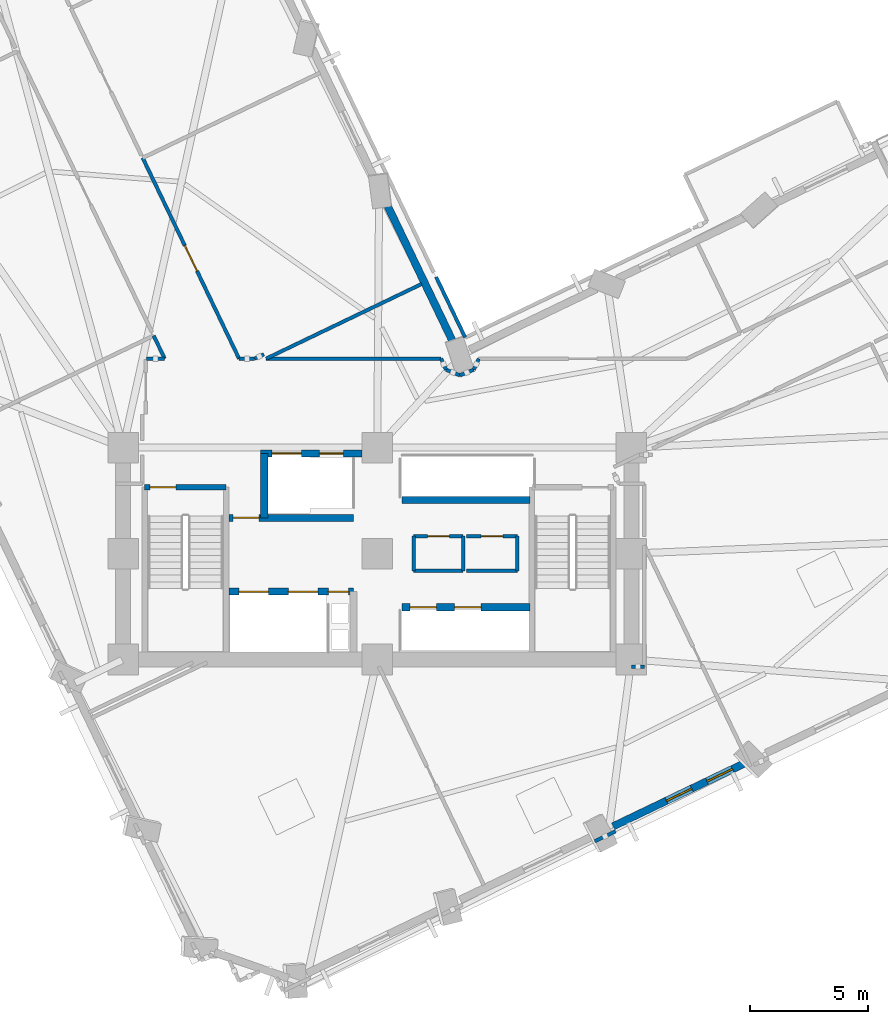
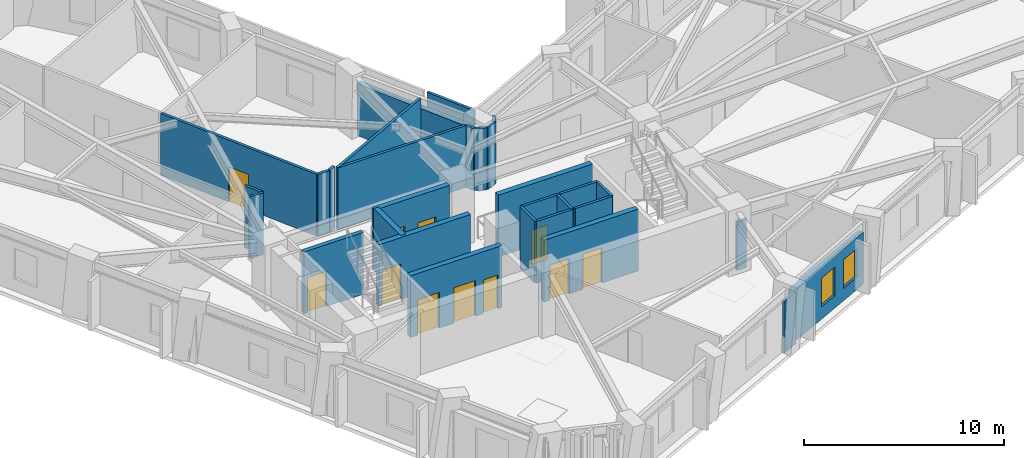
# One storey, part 8 of 16: 30 walls, 12 doors, 2 windows, 14 openings.
"""IFC4 building model written with IfcOpenShell, lengths in metres."""

from ifc_helpers import new_model, si_unit, direction, frame, frame_2d, origin, place, context, subcontext, project, spatial, rectangle, extrude, material, layer, layer_set, type_object, element, fill, save


model = new_model("IFC4")

# Units and contexts
model_context = context("Model", 3, precision=1e-05, world=origin(), true_north=direction((0.0, 1.0)))
body_context = subcontext(model_context, "Body", "Model", "MODEL_VIEW")
ifc_project = project(units=[si_unit("LENGTHUNIT", "METRE"), si_unit("AREAUNIT", "SQUARE_METRE"), si_unit("VOLUMEUNIT", "CUBIC_METRE"), si_unit("PLANEANGLEUNIT", "RADIAN"), si_unit("MASSUNIT", "GRAM", prefix="KILO")], contexts=[model_context])

# Site, building, storey
site_placement = place(None, origin())
site = spatial("IfcSite", under=ifc_project, at=site_placement, CompositionType="ELEMENT")
building_placement = place(site_placement, origin())
building = spatial("IfcBuilding", under=site, at=building_placement, Name="Gaonmaruhae Medical Tower", CompositionType="ELEMENT")
storey_placement = place(building_placement, frame((0.0, 0.0, 132.39990234375)))
storey = spatial("IfcBuildingStorey", under=building, at=storey_placement, Name="L31", CompositionType="ELEMENT", Elevation=132.39990234375)

# Wall, openings, windows
ifc_material_1 = material(Name="Precast concrete C45/55", Category="concrete")
ifc_layer_1 = layer(ifc_material_1, 0.320068359375)
ifc_layer_set_1 = layer_set([ifc_layer_1], Name="Precast concrete C45/55")
wall_type_1 = type_object("IfcWallType", Name="EW-320 Lower Precast Masonry-Frame Facade Wall", PredefinedType="SOLIDWALL", material=ifc_layer_set_1)
wall_1_placement = place(storey_placement, frame((40.427001953125, 3.39599609375, 0.0), z_axis=(0.0, 0.0, 1.0), x_axis=(-0.901447639929, -0.432888152374, 0.0)))
wall_1 = element("IfcWall", 1, at=wall_1_placement, inside=storey, type_object=wall_type_1, Name="L31 Precast Masonry-Frame Wall S03-S04", PredefinedType="SOLIDWALL", context=body_context, shape_type="SweptSolid", body=[
    extrude(rectangle(XDim=6.214599609375, YDim=0.320068359375, at=frame_2d((3.107421875, 0.0))), origin(), (0.0, 0.0, 1.0), 3.1650390625),
])
opening_1_placement = place(wall_1_placement, frame((2.505615234375, 0.0, 0.75)))
opening_1 = element("IfcOpeningElement", 2, at=opening_1_placement, cuts=wall_1, Name="Opening WN-05", PredefinedType="OPENING", context=body_context, shape_type="SweptSolid", body=[
    extrude(rectangle(XDim=1.199951171875, YDim=1.75, at=frame_2d((0.60009765625, 0.875))), frame((0.0, 0.169921875, 0.0), z_axis=(0.0, -1.0, 0.0), x_axis=(1.0, 0.0, 0.0)), (0.0, 0.0, 1.0), 0.340087890625),
])
opening_2_placement = place(wall_1_placement, frame((0.587890625, 0.0, 0.75)))
opening_2 = element("IfcOpeningElement", 3, at=opening_2_placement, cuts=wall_1, Name="Opening WN-05", PredefinedType="OPENING", context=body_context, shape_type="SweptSolid", body=[
    extrude(rectangle(XDim=1.199951171875, YDim=1.75, at=frame_2d((0.60009765625, 0.875))), frame((0.0, 0.169921875, 0.0), z_axis=(0.0, -1.0, 0.0), x_axis=(1.0, 0.0, 0.0)), (0.0, 0.0, 1.0), 0.340087890625),
])
ifc_material_2 = material(Name="Anodised aluminium and Low-E double glazing", Category="aluminium")
window_type = type_object("IfcWindowType", Name="WN-05 Support & Staff Punched Window 1200x1750", PartitioningType="SINGLE_PANEL", PredefinedType="WINDOW", material=ifc_material_2)
window_1_placement = place(opening_1_placement, origin())
window_1 = element("IfcWindow", 4, at=window_1_placement, inside=storey, type_object=window_type, Name="L31 Modular Facade Window S03", OverallHeight=1.75, OverallWidth=1.199951171875, PartitioningType="SINGLE_PANEL", PredefinedType="WINDOW", context=body_context, shape_type="SweptSolid", body=[
    extrude(rectangle(XDim=1.199951171875, YDim=1.75, at=frame_2d((0.60009765625, 0.875))), frame((0.0, 0.030029296875, 0.0), z_axis=(0.0, -1.0, 0.0), x_axis=(1.0, 0.0, 0.0)), (0.0, 0.0, 1.0), 0.06005859375),
])
fill(opening_1, window_1)
window_2_placement = place(opening_2_placement, origin())
window_2 = element("IfcWindow", 5, at=window_2_placement, inside=storey, type_object=window_type, Name="L31 Modular Facade Window S03B", OverallHeight=1.75, OverallWidth=1.199951171875, PartitioningType="SINGLE_PANEL", PredefinedType="WINDOW", context=body_context, shape_type="SweptSolid", body=[
    extrude(rectangle(XDim=1.199951171875, YDim=1.75, at=frame_2d((0.60009765625, 0.875))), frame((0.0, 0.030029296875, 0.0), z_axis=(0.0, -1.0, 0.0), x_axis=(1.0, 0.0, 0.0)), (0.0, 0.0, 1.0), 0.06005859375),
])
fill(opening_2, window_2)

# Walls
wall_2_placement = place(storey_placement, frame((25.162353515625, 27.23974609375, 0.0), z_axis=(0.0, 0.0, 1.0), x_axis=(0.432883696329, -0.901449779773, 0.0)))
element("IfcWall", 6, at=wall_2_placement, inside=storey, type_object=wall_type_1, Name="L31 Precast Masonry-Frame Wall KN01-NE01", PredefinedType="SOLIDWALL", context=body_context, shape_type="SweptSolid", body=[
    extrude(rectangle(XDim=6.760009765625, YDim=0.320068359375, at=frame_2d((3.3798828125, 0.0))), origin(), (0.0, 0.0, 1.0), 3.1650390625),
])
ifc_material_3 = material(Name="Gypsum board partition", Category="gypsum")
ifc_layer_2 = layer(ifc_material_3, 0.14990234375)
ifc_layer_set_2 = layer_set([ifc_layer_2], Name="Gypsum board partition")
wall_type_2 = type_object("IfcWallType", Name="PW-150 Rated Clinical Corridor Partition", PredefinedType="PARTITIONING", material=ifc_layer_set_2)
wall_3_placement = place(storey_placement, frame((26.35009765625, 11.56005859375, 0.0), z_axis=(0.0, 0.0, 1.0), x_axis=(0.0, 1.0, 0.0)))
element("IfcWall", 7, at=wall_3_placement, inside=storey, type_object=wall_type_2, Name="L31 Interior Partition L31-CS1-1", PredefinedType="PARTITIONING", context=body_context, shape_type="SweptSolid", body=[
    extrude(rectangle(XDim=1.47998046875, YDim=0.14990234375, at=frame_2d((0.739990234375, 0.0))), origin(), (0.0, 0.0, 1.0), 3.780029296875),
])

# Wall, opening, door
wall_4_placement = place(storey_placement, frame((26.35009765625, 13.0400390625, 0.0), z_axis=(0.0, 0.0, 1.0), x_axis=(1.0, 0.0, 0.0)))
wall_4 = element("IfcWall", 8, at=wall_4_placement, inside=storey, type_object=wall_type_2, Name="L31 Interior Partition L31-CS1-2", PredefinedType="PARTITIONING", context=body_context, shape_type="SweptSolid", body=[
    extrude(rectangle(XDim=2.099853515625, YDim=0.14990234375, at=frame_2d((1.0498046875, 0.0))), origin(), (0.0, 0.0, 1.0), 3.780029296875),
])
opening_3_placement = place(wall_4_placement, frame((0.590087890625, 0.0, 0.0)))
opening_3 = element("IfcOpeningElement", 9, at=opening_3_placement, cuts=wall_4, Name="Opening UD-01", PredefinedType="OPENING", context=body_context, shape_type="SweptSolid", body=[
    extrude(rectangle(XDim=0.919921875, YDim=2.10009765625, at=frame_2d((0.4599609375, 1.050048828125))), frame((0.0, 0.0849609375, 0.0), z_axis=(0.0, -1.0, 0.0), x_axis=(1.0, 0.0, 0.0)), (0.0, 0.0, 1.0), 0.169921875),
])
ifc_material_4 = material(Name="Powder-coated steel utility door", Category="steel")
door_type_1 = type_object("IfcDoorType", Name="UD-01 Toilet, Utility & Housekeeping Door 920x2100", OperationType="NOTDEFINED", PredefinedType="DOOR", material=ifc_material_4)
door_1_placement = place(opening_3_placement, origin())
door_1 = element("IfcDoor", 10, at=door_1_placement, inside=storey, type_object=door_type_1, Name="L31 Accessible Staff Toilet Door", OperationType="SINGLE_SWING_RIGHT", OverallHeight=2.10009765625, OverallWidth=0.919921875, PredefinedType="DOOR", context=body_context, shape_type="SweptSolid", body=[
    extrude(rectangle(XDim=0.919921875, YDim=2.10009765625, at=frame_2d((0.4599609375, 1.050048828125))), frame((0.0, 0.02490234375, 0.0), z_axis=(0.0, -1.0, 0.0), x_axis=(1.0, 0.0, 0.0)), (0.0, 0.0, 1.0), 0.050048828125),
])
fill(opening_3, door_1)

# Walls
wall_5_placement = place(storey_placement, frame((28.449951171875, 13.0400390625, 0.0), z_axis=(0.0, 0.0, 1.0), x_axis=(0.0, -1.0, 0.0)))
element("IfcWall", 11, at=wall_5_placement, inside=storey, type_object=wall_type_2, Name="L31 Interior Partition L31-CS1-3", PredefinedType="PARTITIONING", context=body_context, shape_type="SweptSolid", body=[
    extrude(rectangle(XDim=1.47998046875, YDim=0.14990234375, at=frame_2d((0.739990234375, 0.0))), origin(), (0.0, 0.0, 1.0), 3.780029296875),
])
wall_6_placement = place(storey_placement, frame((28.449951171875, 11.56005859375, 0.0), z_axis=(0.0, 0.0, 1.0), x_axis=(-1.0, 0.0, 0.0)))
element("IfcWall", 12, at=wall_6_placement, inside=storey, type_object=wall_type_2, Name="L31 Interior Partition L31-CS1-4", PredefinedType="PARTITIONING", context=body_context, shape_type="SweptSolid", body=[
    extrude(rectangle(XDim=2.099853515625, YDim=0.14990234375, at=frame_2d((1.0498046875, 0.0))), origin(), (0.0, 0.0, 1.0), 3.780029296875),
])

# Wall, opening, door
wall_7_placement = place(storey_placement, frame((28.60009765625, 13.0400390625, 0.0), z_axis=(0.0, 0.0, 1.0), x_axis=(1.0, 0.0, 0.0)))
wall_7 = element("IfcWall", 13, at=wall_7_placement, inside=storey, type_object=wall_type_2, Name="L31 Interior Partition L31-CS2-5", PredefinedType="PARTITIONING", context=body_context, shape_type="SweptSolid", body=[
    extrude(rectangle(XDim=2.14990234375, YDim=0.14990234375, at=frame_2d((1.074951171875, 0.0))), origin(), (0.0, 0.0, 1.0), 3.780029296875),
])
opening_4_placement = place(wall_7_placement, frame((0.614990234375, 0.0, 0.0)))
opening_4 = element("IfcOpeningElement", 14, at=opening_4_placement, cuts=wall_7, Name="Opening UD-01", PredefinedType="OPENING", context=body_context, shape_type="SweptSolid", body=[
    extrude(rectangle(XDim=0.919921875, YDim=2.10009765625, at=frame_2d((0.4599609375, 1.050048828125))), frame((0.0, 0.0849609375, 0.0), z_axis=(0.0, -1.0, 0.0), x_axis=(1.0, 0.0, 0.0)), (0.0, 0.0, 1.0), 0.169921875),
])
door_2_placement = place(opening_4_placement, origin())
door_2 = element("IfcDoor", 15, at=door_2_placement, inside=storey, type_object=door_type_1, Name="L31 Biomedical Telemetry Closet Door", OperationType="SINGLE_SWING_LEFT", OverallHeight=2.10009765625, OverallWidth=0.919921875, PredefinedType="DOOR", context=body_context, shape_type="SweptSolid", body=[
    extrude(rectangle(XDim=0.919921875, YDim=2.10009765625, at=frame_2d((0.4599609375, 1.050048828125))), frame((0.0, 0.02490234375, 0.0), z_axis=(0.0, -1.0, 0.0), x_axis=(1.0, 0.0, 0.0)), (0.0, 0.0, 1.0), 0.050048828125),
])
fill(opening_4, door_2)

# Walls
wall_8_placement = place(storey_placement, frame((30.75, 13.0400390625, 0.0), z_axis=(0.0, 0.0, 1.0), x_axis=(0.0, -1.0, 0.0)))
element("IfcWall", 16, at=wall_8_placement, inside=storey, type_object=wall_type_2, Name="L31 Interior Partition L31-CS2-6", PredefinedType="PARTITIONING", context=body_context, shape_type="SweptSolid", body=[
    extrude(rectangle(XDim=1.47998046875, YDim=0.14990234375, at=frame_2d((0.739990234375, 0.0))), origin(), (0.0, 0.0, 1.0), 3.780029296875),
])
wall_9_placement = place(storey_placement, frame((30.75, 11.56005859375, 0.0), z_axis=(0.0, 0.0, 1.0), x_axis=(-1.0, 0.0, 0.0)))
element("IfcWall", 17, at=wall_9_placement, inside=storey, type_object=wall_type_2, Name="L31 Interior Partition L31-CS2-7", PredefinedType="PARTITIONING", context=body_context, shape_type="SweptSolid", body=[
    extrude(rectangle(XDim=2.14990234375, YDim=0.14990234375, at=frame_2d((1.074951171875, 0.0))), origin(), (0.0, 0.0, 1.0), 3.780029296875),
])
wall_10_placement = place(storey_placement, frame((34.925048828125, 0.4990234375, 0.0), z_axis=(0.0, 0.0, 1.0), x_axis=(-0.901441371295, -0.432901205955, 0.0)))
element("IfcWall", 18, at=wall_10_placement, inside=storey, type_object=wall_type_2, Name="L31 Interior Partition L31-SUP02-19", PredefinedType="PARTITIONING", context=body_context, shape_type="SweptSolid", body=[
    extrude(rectangle(XDim=0.9794921875, YDim=0.14990234375, at=frame_2d((0.48974609375, 0.0))), origin(), (0.0, 0.0, 1.0), 3.1650390625),
])
wall_11_placement = place(storey_placement, frame((35.60009765625, 7.5, 0.0), z_axis=(0.0, 0.0, 1.0), x_axis=(1.0, 0.0, 0.0)))
element("IfcWall", 19, at=wall_11_placement, inside=storey, type_object=wall_type_2, Name="L31 Interior Partition L31-SUP02-20", PredefinedType="PARTITIONING", context=body_context, shape_type="SweptSolid", body=[
    extrude(rectangle(XDim=0.5498046875, YDim=0.14990234375, at=frame_2d((0.27490234375, 0.0))), origin(), (0.0, 0.0, 1.0), 2.965087890625),
])
wall_12_placement = place(storey_placement, frame((15.300048828125, 21.55908203125, 0.0), z_axis=(0.0, 0.0, 1.0), x_axis=(0.432767610523, -0.901505515947, 0.0)))
element("IfcWall", 20, at=wall_12_placement, inside=storey, type_object=wall_type_2, Name="L31 Interior Partition L31-WOF05-46", PredefinedType="PARTITIONING", context=body_context, shape_type="SweptSolid", body=[
    extrude(rectangle(XDim=1.0859375, YDim=0.14990234375, at=frame_2d((0.54296875, 0.0))), origin(), (0.0, 0.0, 1.0), 3.780029296875),
])
wall_13_placement = place(storey_placement, frame((15.77001953125, 20.580078125, 0.0), z_axis=(0.0, 0.0, 1.0), x_axis=(-1.0, 0.0, 0.0)))
element("IfcWall", 21, at=wall_13_placement, inside=storey, type_object=wall_type_2, Name="L31 Interior Partition L31-WOF05-47", PredefinedType="PARTITIONING", context=body_context, shape_type="SweptSolid", body=[
    extrude(rectangle(XDim=0.77294921875, YDim=0.14990234375, at=frame_2d((0.386474609375, 0.0))), origin(), (0.0, 0.0, 1.0), 3.780029296875),
])
wall_14_placement = place(storey_placement, frame((29.113037109375, 20.580078125, 0.0), z_axis=(0.0, 0.0, 1.0), x_axis=(-0.410741961607, -0.911751633382, 0.0)))
element("IfcWall", 22, at=wall_14_placement, inside=storey, type_object=wall_type_2, Name="L31 Interior Partition L31-IE01-59", PredefinedType="PARTITIONING", context=body_context, shape_type="SweptSolid", body=[
    extrude(rectangle(XDim=0.51123046875, YDim=0.14990234375, at=frame_2d((0.255615234375, 0.0))), origin(), (0.0, 0.0, 1.0), 3.780029296875),
])
wall_15_placement = place(storey_placement, frame((28.903076171875, 20.114013671875, 0.0), z_axis=(0.0, 0.0, 1.0), x_axis=(-0.923946844683, -0.382520885967, 0.0)))
element("IfcWall", 23, at=wall_15_placement, inside=storey, type_object=wall_type_2, Name="L31 Interior Partition L31-IE01-60", PredefinedType="PARTITIONING", context=body_context, shape_type="SweptSolid", body=[
    extrude(rectangle(XDim=0.6376953125, YDim=0.14990234375, at=frame_2d((0.31884765625, 0.0))), origin(), (0.0, 0.0, 1.0), 3.780029296875),
])
wall_16_placement = place(storey_placement, frame((28.31396484375, 19.8701171875, 0.0), z_axis=(0.0, 0.0, 1.0), x_axis=(-0.924114659462, 0.382115291723, 0.0)))
element("IfcWall", 24, at=wall_16_placement, inside=storey, type_object=wall_type_2, Name="L31 Interior Partition L31-IE01-61", PredefinedType="PARTITIONING", context=body_context, shape_type="SweptSolid", body=[
    extrude(rectangle(XDim=0.63818359375, YDim=0.14990234375, at=frame_2d((0.319091796875, 0.0))), origin(), (0.0, 0.0, 1.0), 3.780029296875),
])
wall_17_placement = place(storey_placement, frame((27.72412109375, 20.114013671875, 0.0), z_axis=(0.0, 0.0, 1.0), x_axis=(-0.411138875134, 0.911572720826, 0.0)))
element("IfcWall", 25, at=wall_17_placement, inside=storey, type_object=wall_type_2, Name="L31 Interior Partition L31-IE01-62", PredefinedType="PARTITIONING", context=body_context, shape_type="SweptSolid", body=[
    extrude(rectangle(XDim=0.51123046875, YDim=0.14990234375, at=frame_2d((0.255615234375, 0.0))), origin(), (0.0, 0.0, 1.0), 3.780029296875),
])
wall_18_placement = place(storey_placement, frame((27.513916015625, 20.580078125, 0.0), z_axis=(0.0, 0.0, 1.0), x_axis=(-1.0, 0.0, 0.0)))
element("IfcWall", 26, at=wall_18_placement, inside=storey, type_object=wall_type_2, Name="L31 Interior Partition L31-IE01-63", PredefinedType="PARTITIONING", context=body_context, shape_type="SweptSolid", body=[
    extrude(rectangle(XDim=7.43798828125, YDim=0.14990234375, at=frame_2d((3.718994140625, 0.0))), origin(), (0.0, 0.0, 1.0), 3.780029296875),
])
wall_19_placement = place(storey_placement, frame((20.075927734375, 20.580078125, 0.0), z_axis=(0.0, 0.0, 1.0), x_axis=(0.901471094666, 0.432839306765, 0.0)))
element("IfcWall", 27, at=wall_19_placement, inside=storey, type_object=wall_type_2, Name="L31 Interior Partition L31-IE01-64", PredefinedType="PARTITIONING", context=body_context, shape_type="SweptSolid", body=[
    extrude(rectangle(XDim=7.33251953125, YDim=0.14990234375, at=frame_2d((3.666259765625, 0.0))), origin(), (0.0, 0.0, 1.0), 3.780029296875),
])
wall_20_placement = place(storey_placement, frame((27.303955078125, 24.051025390625, 0.0), z_axis=(0.0, 0.0, 1.0), x_axis=(0.433006738205, -0.901390683705, 0.0)))
element("IfcWall", 28, at=wall_20_placement, inside=storey, type_object=wall_type_2, Name="L31 Interior Partition L31-IE01-65", PredefinedType="PARTITIONING", context=body_context, shape_type="SweptSolid", body=[
    extrude(rectangle(XDim=2.85009765625, YDim=0.14990234375, at=frame_2d((1.425048828125, 0.0))), origin(), (0.0, 0.0, 1.0), 3.780029296875),
])
wall_21_placement = place(storey_placement, frame((19.591064453125, 20.580078125, 0.0), z_axis=(0.0, 0.0, 1.0), x_axis=(-1.0, 0.0, 0.0)))
element("IfcWall", 29, at=wall_21_placement, inside=storey, type_object=wall_type_2, Name="L31 Interior Partition L31-IN01-85", PredefinedType="PARTITIONING", context=body_context, shape_type="SweptSolid", body=[
    extrude(rectangle(XDim=0.66015625, YDim=0.14990234375, at=frame_2d((0.330078125, 0.0))), origin(), (0.0, 0.0, 1.0), 3.780029296875),
])

# Wall, opening, door
wall_22_placement = place(storey_placement, frame((18.930908203125, 20.580078125, 0.0), z_axis=(0.0, 0.0, 1.0), x_axis=(-0.43286607563, 0.901458241168, 0.0)))
wall_22 = element("IfcWall", 30, at=wall_22_placement, inside=storey, type_object=wall_type_2, Name="L31 Interior Partition L31-IN01-86", PredefinedType="PARTITIONING", context=body_context, shape_type="SweptSolid", body=[
    extrude(rectangle(XDim=9.464599609375, YDim=0.14990234375, at=frame_2d((4.732421875, 0.0))), origin(), (0.0, 0.0, 1.0), 3.780029296875),
])
opening_5_placement = place(wall_22_placement, frame((4.13232421875, 0.0, 0.0)))
opening_5 = element("IfcOpeningElement", 31, at=opening_5_placement, cuts=wall_22, Name="Opening CD-02", PredefinedType="OPENING", context=body_context, shape_type="SweptSolid", body=[
    extrude(rectangle(XDim=1.199951171875, YDim=2.14990234375, at=frame_2d((0.60009765625, 1.074951171875))), frame((0.0, 0.0849609375, 0.0), z_axis=(0.0, -1.0, 0.0), x_axis=(1.0, 0.0, 0.0)), (0.0, 0.0, 1.0), 0.169921875),
])
ifc_material_5 = material(Name="Antimicrobial laminate timber fire door", Category="wood")
door_type_2 = type_object("IfcDoorType", Name="CD-02 Clinical Treatment & Procedure Door 1200x2150", OperationType="NOTDEFINED", PredefinedType="DOOR", material=ifc_material_5)
door_3_placement = place(opening_5_placement, origin())
door_3 = element("IfcDoor", 32, at=door_3_placement, inside=storey, type_object=door_type_2, Name="L31 Physician Consultation Office Door", OperationType="SINGLE_SWING_RIGHT", OverallHeight=2.14990234375, OverallWidth=1.199951171875, PredefinedType="DOOR", context=body_context, shape_type="SweptSolid", body=[
    extrude(rectangle(XDim=1.199951171875, YDim=2.14990234375, at=frame_2d((0.60009765625, 1.074951171875))), frame((0.0, 0.02490234375, 0.0), z_axis=(0.0, -1.0, 0.0), x_axis=(1.0, 0.0, 0.0)), (0.0, 0.0, 1.0), 0.050048828125),
])
fill(opening_5, door_3)

# Wall
wall_23_placement = place(storey_placement, frame((19.985107421875, 20.76904296875, 0.0), z_axis=(0.0, 0.0, 1.0), x_axis=(-0.901679917464, -0.432404123988, 0.0)))
element("IfcWall", 33, at=wall_23_placement, inside=storey, type_object=wall_type_2, Name="L31 Interior Partition L31-IN01-89", PredefinedType="PARTITIONING", context=body_context, shape_type="SweptSolid", body=[
    extrude(rectangle(XDim=0.43701171875, YDim=0.14990234375, at=frame_2d((0.218505859375, 0.0))), origin(), (0.0, 0.0, 1.0), 3.780029296875),
])

# Wall, opening, door
ifc_material_6 = material(Name="Concrete C50/60", Category="concrete")
ifc_layer_3 = layer(ifc_material_6, 0.239990234375)
ifc_layer_set_3 = layer_set([ifc_layer_3], Name="Concrete C50/60")
wall_type_3 = type_object("IfcWallType", Name="SW-240 Dogleg Stair Tight Shaft Wall", PredefinedType="SOLIDWALL", material=ifc_layer_set_3)
wall_24_placement = place(storey_placement, frame((14.919921875, 15.1201171875, 0.0), z_axis=(0.0, 0.0, 1.0), x_axis=(1.0, 0.0, 0.0)))
wall_24 = element("IfcWall", 34, at=wall_24_placement, inside=storey, type_object=wall_type_3, Name="L31 ST-01 Stair Shaft Wall SHW-ST-01-N", PredefinedType="SOLIDWALL", context=body_context, shape_type="SweptSolid", body=[
    extrude(rectangle(XDim=3.4599609375, YDim=0.239990234375, at=frame_2d((1.72998046875, 0.0))), origin(), (0.0, 0.0, 1.0), 3.780029296875),
])
opening_6_placement = place(wall_24_placement, frame((0.219970703125, 0.0, 0.0)))
opening_6 = element("IfcOpeningElement", 35, at=opening_6_placement, cuts=wall_24, Name="Opening FD-01", PredefinedType="OPENING", context=body_context, shape_type="SweptSolid", body=[
    extrude(rectangle(XDim=1.10009765625, YDim=2.14990234375, at=frame_2d((0.550048828125, 1.074951171875))), frame((0.0, 0.1298828125, 0.0), z_axis=(0.0, -1.0, 0.0), x_axis=(1.0, 0.0, 0.0)), (0.0, 0.0, 1.0), 0.260009765625),
])
ifc_material_7 = material(Name="Powder-coated steel fire door", Category="steel")
door_type_3 = type_object("IfcDoorType", Name="FD-01 Escape Stair Protected Fire Door 1100x2150", OperationType="NOTDEFINED", PredefinedType="DOOR", material=ifc_material_7)
door_4_placement = place(opening_6_placement, origin())
door_4 = element("IfcDoor", 36, at=door_4_placement, inside=storey, type_object=door_type_3, Name="L31 ST-01 Protected Escape Stair Door", OperationType="SINGLE_SWING_RIGHT", OverallHeight=2.14990234375, OverallWidth=1.10009765625, PredefinedType="DOOR", context=body_context, shape_type="SweptSolid", body=[
    extrude(rectangle(XDim=1.10009765625, YDim=2.14990234375, at=frame_2d((0.550048828125, 1.074951171875))), frame((0.0, 0.02490234375, 0.0), z_axis=(0.0, -1.0, 0.0), x_axis=(1.0, 0.0, 0.0)), (0.0, 0.0, 1.0), 0.050048828125),
])
fill(opening_6, door_4)

# Wall, openings, doors
ifc_layer_4 = layer(ifc_material_6, 0.300048828125)
ifc_layer_set_4 = layer_set([ifc_layer_4], Name="Concrete C50/60")
wall_type_4 = type_object("IfcWallType", Name="SW-300 Stair & Lift Hoistway Shaft Wall", PredefinedType="SOLIDWALL", material=ifc_layer_set_4)
wall_25_placement = place(storey_placement, frame((19.85009765625, 16.550048828125, 0.0), z_axis=(0.0, 0.0, 1.0), x_axis=(1.0, 0.0, 0.0)))
wall_25 = element("IfcWall", 37, at=wall_25_placement, inside=storey, type_object=wall_type_4, Name="L31 Core Shear Wall CSW-NB", PredefinedType="SOLIDWALL", context=body_context, shape_type="SweptSolid", body=[
    extrude(rectangle(XDim=4.2998046875, YDim=0.300048828125, at=frame_2d((2.14990234375, 0.0))), origin(), (0.0, 0.0, 1.0), 3.780029296875),
])
opening_7_placement = place(wall_25_placement, frame((0.47509765625, 0.0, 0.0)))
opening_7 = element("IfcOpeningElement", 38, at=opening_7_placement, cuts=wall_25, Name="Opening LD-F1", PredefinedType="OPENING", context=body_context, shape_type="SweptSolid", body=[
    extrude(rectangle(XDim=1.25, YDim=2.179931640625, at=frame_2d((0.625, 1.08984375))), frame((0.0, 0.16015625, 0.0), z_axis=(0.0, -1.0, 0.0), x_axis=(1.0, 0.0, 0.0)), (0.0, 0.0, 1.0), 0.320068359375),
])
opening_8_placement = place(wall_25_placement, frame((2.489990234375, 0.0, 0.0)))
opening_8 = element("IfcOpeningElement", 39, at=opening_8_placement, cuts=wall_25, Name="Opening LD-S1", PredefinedType="OPENING", context=body_context, shape_type="SweptSolid", body=[
    extrude(rectangle(XDim=1.02001953125, YDim=2.1201171875, at=frame_2d((0.510009765625, 1.06005859375))), frame((0.0, 0.16015625, 0.0), z_axis=(0.0, -1.0, 0.0), x_axis=(1.0, 0.0, 0.0)), (0.0, 0.0, 1.0), 0.320068359375),
])
ifc_material_8 = material(Name="Brushed stainless steel 316L landing door", Category="steel")
door_type_4 = type_object("IfcDoorType", Name="LD-F1 Firefighting & Bed Lift Sliding Landing Door 1250x2180", OperationType="NOTDEFINED", PredefinedType="DOOR", material=ifc_material_8)
door_5_placement = place(opening_7_placement, origin())
door_5 = element("IfcDoor", 40, at=door_5_placement, inside=storey, type_object=door_type_4, Name="L31 Service/Bed Lift Landing Door BDL-01", OperationType="DOUBLE_DOOR_SLIDING", OverallHeight=2.179931640625, OverallWidth=1.25, PredefinedType="DOOR", context=body_context, shape_type="SweptSolid", body=[
    extrude(rectangle(XDim=1.25, YDim=2.179931640625, at=frame_2d((0.625, 1.08984375))), frame((0.0, 0.02490234375, 0.0), z_axis=(0.0, -1.0, 0.0), x_axis=(1.0, 0.0, 0.0)), (0.0, 0.0, 1.0), 0.050048828125),
])
fill(opening_7, door_5)
ifc_material_9 = material(Name="Brushed stainless steel 304 landing door", Category="steel")
door_type_5 = type_object("IfcDoorType", Name="LD-S1 Service Lift Sliding Landing Door 1020x2120", OperationType="NOTDEFINED", PredefinedType="DOOR", material=ifc_material_9)
door_6_placement = place(opening_8_placement, origin())
door_6 = element("IfcDoor", 41, at=door_6_placement, inside=storey, type_object=door_type_5, Name="L31 Service/Bed Lift Landing Door SVL-01", OperationType="SLIDING_TO_LEFT", OverallHeight=2.1201171875, OverallWidth=1.02001953125, PredefinedType="DOOR", context=body_context, shape_type="SweptSolid", body=[
    extrude(rectangle(XDim=1.02001953125, YDim=2.1201171875, at=frame_2d((0.510009765625, 1.06005859375))), frame((0.0, 0.02490234375, 0.0), z_axis=(0.0, -1.0, 0.0), x_axis=(1.0, 0.0, 0.0)), (0.0, 0.0, 1.0), 0.050048828125),
])
fill(opening_8, door_6)

wall_26_placement = place(storey_placement, frame((18.5, 10.679931640625, 0.0), z_axis=(0.0, 0.0, 1.0), x_axis=(1.0, 0.0, 0.0)))
wall_26 = element("IfcWall", 42, at=wall_26_placement, inside=storey, type_object=wall_type_4, Name="L31 Shaft Enclosure Wall SHW-FFN", PredefinedType="SOLIDWALL", context=body_context, shape_type="SweptSolid", body=[
    extrude(rectangle(XDim=5.300048828125, YDim=0.300048828125, at=frame_2d((2.64990234375, 0.0))), origin(), (0.0, 0.0, 1.0), 3.780029296875),
])
opening_9_placement = place(wall_26_placement, frame((4.219970703125, 0.0, 0.0)))
opening_9 = element("IfcOpeningElement", 43, at=opening_9_placement, cuts=wall_26, Name="Opening AD-01", PredefinedType="OPENING", context=body_context, shape_type="SweptSolid", body=[
    extrude(rectangle(XDim=0.860107421875, YDim=2.06005859375, at=frame_2d((0.43017578125, 1.030029296875))), frame((0.0, 0.16015625, 0.0), z_axis=(0.0, -1.0, 0.0), x_axis=(1.0, 0.0, 0.0)), (0.0, 0.0, 1.0), 0.320068359375),
])
opening_10_placement = place(wall_26_placement, frame((0.425048828125, 0.0, 0.0)))
opening_10 = element("IfcOpeningElement", 44, at=opening_10_placement, cuts=wall_26, Name="Opening LD-F1", PredefinedType="OPENING", context=body_context, shape_type="SweptSolid", body=[
    extrude(rectangle(XDim=1.25, YDim=2.179931640625, at=frame_2d((0.625, 1.08984375))), frame((0.0, 0.16015625, 0.0), z_axis=(0.0, -1.0, 0.0), x_axis=(1.0, 0.0, 0.0)), (0.0, 0.0, 1.0), 0.320068359375),
])
opening_11_placement = place(wall_26_placement, frame((2.52490234375, 0.0, 0.0)))
opening_11 = element("IfcOpeningElement", 45, at=opening_11_placement, cuts=wall_26, Name="Opening LD-F1", PredefinedType="OPENING", context=body_context, shape_type="SweptSolid", body=[
    extrude(rectangle(XDim=1.25, YDim=2.179931640625, at=frame_2d((0.625, 1.08984375))), frame((0.0, 0.16015625, 0.0), z_axis=(0.0, -1.0, 0.0), x_axis=(1.0, 0.0, 0.0)), (0.0, 0.0, 1.0), 0.320068359375),
])
ifc_material_10 = material(Name="Powder-coated steel access door", Category="steel")
door_type_6 = type_object("IfcDoorType", Name="AD-01 Riser & Closet Access Fire Door 860x2060", OperationType="NOTDEFINED", PredefinedType="DOOR", material=ifc_material_10)
door_7_placement = place(opening_9_placement, origin())
door_7 = element("IfcDoor", 46, at=door_7_placement, inside=storey, type_object=door_type_6, Name="L31 Medical Gas and MEP Riser Access Door", OperationType="SINGLE_SWING_RIGHT", OverallHeight=2.06005859375, OverallWidth=0.860107421875, PredefinedType="DOOR", context=body_context, shape_type="SweptSolid", body=[
    extrude(rectangle(XDim=0.860107421875, YDim=2.06005859375, at=frame_2d((0.43017578125, 1.030029296875))), frame((0.0, 0.02490234375, 0.0), z_axis=(0.0, -1.0, 0.0), x_axis=(1.0, 0.0, 0.0)), (0.0, 0.0, 1.0), 0.050048828125),
])
fill(opening_9, door_7)
door_8_placement = place(opening_10_placement, origin())
door_8 = element("IfcDoor", 47, at=door_8_placement, inside=storey, type_object=door_type_4, Name="L31 Firefighting Lift Landing Door FFL-01", OperationType="DOUBLE_DOOR_SLIDING", OverallHeight=2.179931640625, OverallWidth=1.25, PredefinedType="DOOR", context=body_context, shape_type="SweptSolid", body=[
    extrude(rectangle(XDim=1.25, YDim=2.179931640625, at=frame_2d((0.625, 1.08984375))), frame((0.0, 0.02490234375, 0.0), z_axis=(0.0, -1.0, 0.0), x_axis=(1.0, 0.0, 0.0)), (0.0, 0.0, 1.0), 0.050048828125),
])
fill(opening_10, door_8)
door_9_placement = place(opening_11_placement, origin())
door_9 = element("IfcDoor", 48, at=door_9_placement, inside=storey, type_object=door_type_4, Name="L31 Firefighting Lift Landing Door FFL-02", OperationType="DOUBLE_DOOR_SLIDING", OverallHeight=2.179931640625, OverallWidth=1.25, PredefinedType="DOOR", context=body_context, shape_type="SweptSolid", body=[
    extrude(rectangle(XDim=1.25, YDim=2.179931640625, at=frame_2d((0.625, 1.08984375))), frame((0.0, 0.02490234375, 0.0), z_axis=(0.0, -1.0, 0.0), x_axis=(1.0, 0.0, 0.0)), (0.0, 0.0, 1.0), 0.050048828125),
])
fill(opening_11, door_9)

# Wall, opening, door
wall_27_placement = place(storey_placement, frame((18.5, 13.820068359375, 0.0), z_axis=(0.0, 0.0, 1.0), x_axis=(1.0, 0.0, 0.0)))
wall_27 = element("IfcWall", 49, at=wall_27_placement, inside=storey, type_object=wall_type_4, Name="L31 Shaft Enclosure Wall SHW-FFL", PredefinedType="SOLIDWALL", context=body_context, shape_type="SweptSolid", body=[
    extrude(rectangle(XDim=5.300048828125, YDim=0.300048828125, at=frame_2d((2.64990234375, 0.0))), origin(), (0.0, 0.0, 1.0), 3.780029296875),
])
opening_12_placement = place(wall_27_placement, frame((0.179931640625, 0.0, 0.0)))
opening_12 = element("IfcOpeningElement", 50, at=opening_12_placement, cuts=wall_27, Name="Opening FD-01", PredefinedType="OPENING", context=body_context, shape_type="SweptSolid", body=[
    extrude(rectangle(XDim=1.10009765625, YDim=2.14990234375, at=frame_2d((0.550048828125, 1.074951171875))), frame((0.0, 0.16015625, 0.0), z_axis=(0.0, -1.0, 0.0), x_axis=(1.0, 0.0, 0.0)), (0.0, 0.0, 1.0), 0.320068359375),
])
door_10_placement = place(opening_12_placement, origin())
door_10 = element("IfcDoor", 51, at=door_10_placement, inside=storey, type_object=door_type_3, Name="L31 Firefighting Lobby Smoke Door", OperationType="SINGLE_SWING_LEFT", OverallHeight=2.14990234375, OverallWidth=1.10009765625, PredefinedType="DOOR", context=body_context, shape_type="SweptSolid", body=[
    extrude(rectangle(XDim=1.10009765625, YDim=2.14990234375, at=frame_2d((0.550048828125, 1.074951171875))), frame((0.0, 0.02490234375, 0.0), z_axis=(0.0, -1.0, 0.0), x_axis=(1.0, 0.0, 0.0)), (0.0, 0.0, 1.0), 0.050048828125),
])
fill(opening_12, door_10)

# Wall
wall_28_placement = place(storey_placement, frame((20.0, 13.820068359375, 0.0), z_axis=(0.0, 0.0, 1.0), x_axis=(0.0, 1.0, 0.0)))
element("IfcWall", 52, at=wall_28_placement, inside=storey, type_object=wall_type_4, Name="L31 Shaft Enclosure Wall SHW-BDW", PredefinedType="SOLIDWALL", context=body_context, shape_type="SweptSolid", body=[
    extrude(rectangle(XDim=2.72998046875, YDim=0.300048828125, at=frame_2d((1.364990234375, 0.0))), origin(), (0.0, 0.0, 1.0), 3.780029296875),
])

# Wall, openings, doors
wall_29_placement = place(storey_placement, frame((25.85009765625, 10.02001953125, 0.0), z_axis=(0.0, 0.0, 1.0), x_axis=(1.0, 0.0, 0.0)))
wall_29 = element("IfcWall", 53, at=wall_29_placement, inside=storey, type_object=wall_type_4, Name="L31 Shaft Enclosure Wall SHW-PLS", PredefinedType="SOLIDWALL", context=body_context, shape_type="SweptSolid", body=[
    extrude(rectangle(XDim=5.449951171875, YDim=0.300048828125, at=frame_2d((2.72509765625, 0.0))), origin(), (0.0, 0.0, 1.0), 3.780029296875),
])
opening_13_placement = place(wall_29_placement, frame((0.340087890625, 0.0, 0.0)))
opening_13 = element("IfcOpeningElement", 54, at=opening_13_placement, cuts=wall_29, Name="Opening LD-P1", PredefinedType="OPENING", context=body_context, shape_type="SweptSolid", body=[
    extrude(rectangle(XDim=1.1201171875, YDim=2.14990234375, at=frame_2d((0.56005859375, 1.074951171875))), frame((0.0, 0.16015625, 0.0), z_axis=(0.0, -1.0, 0.0), x_axis=(1.0, 0.0, 0.0)), (0.0, 0.0, 1.0), 0.320068359375),
])
opening_14_placement = place(wall_29_placement, frame((2.239990234375, 0.0, 0.0)))
opening_14 = element("IfcOpeningElement", 55, at=opening_14_placement, cuts=wall_29, Name="Opening LD-P1", PredefinedType="OPENING", context=body_context, shape_type="SweptSolid", body=[
    extrude(rectangle(XDim=1.1201171875, YDim=2.14990234375, at=frame_2d((0.56005859375, 1.074951171875))), frame((0.0, 0.16015625, 0.0), z_axis=(0.0, -1.0, 0.0), x_axis=(1.0, 0.0, 0.0)), (0.0, 0.0, 1.0), 0.320068359375),
])
door_type_7 = type_object("IfcDoorType", Name="LD-P1 Passenger Lift Sliding Landing Door 1120x2150", OperationType="NOTDEFINED", PredefinedType="DOOR", material=ifc_material_9)
door_11_placement = place(opening_13_placement, origin())
door_11 = element("IfcDoor", 56, at=door_11_placement, inside=storey, type_object=door_type_7, Name="L31 Passenger Lift Landing Door PL-L1", OperationType="DOUBLE_DOOR_SLIDING", OverallHeight=2.14990234375, OverallWidth=1.1201171875, PredefinedType="DOOR", context=body_context, shape_type="SweptSolid", body=[
    extrude(rectangle(XDim=1.1201171875, YDim=2.14990234375, at=frame_2d((0.56005859375, 1.074951171875))), frame((0.0, 0.02490234375, 0.0), z_axis=(0.0, -1.0, 0.0), x_axis=(1.0, 0.0, 0.0)), (0.0, 0.0, 1.0), 0.050048828125),
])
fill(opening_13, door_11)
door_12_placement = place(opening_14_placement, origin())
door_12 = element("IfcDoor", 57, at=door_12_placement, inside=storey, type_object=door_type_7, Name="L31 Passenger Lift Landing Door PL-L2", OperationType="DOUBLE_DOOR_SLIDING", OverallHeight=2.14990234375, OverallWidth=1.1201171875, PredefinedType="DOOR", context=body_context, shape_type="SweptSolid", body=[
    extrude(rectangle(XDim=1.1201171875, YDim=2.14990234375, at=frame_2d((0.56005859375, 1.074951171875))), frame((0.0, 0.02490234375, 0.0), z_axis=(0.0, -1.0, 0.0), x_axis=(1.0, 0.0, 0.0)), (0.0, 0.0, 1.0), 0.050048828125),
])
fill(opening_14, door_12)

# Wall
wall_30_placement = place(storey_placement, frame((25.85009765625, 14.580078125, 0.0), z_axis=(0.0, 0.0, 1.0), x_axis=(1.0, 0.0, 0.0)))
element("IfcWall", 58, at=wall_30_placement, inside=storey, type_object=wall_type_4, Name="L31 Shaft Enclosure Wall SHW-PLN", PredefinedType="SOLIDWALL", context=body_context, shape_type="SweptSolid", body=[
    extrude(rectangle(XDim=5.449951171875, YDim=0.300048828125, at=frame_2d((2.72509765625, 0.0))), origin(), (0.0, 0.0, 1.0), 3.780029296875),
])

save(model, "model.ifc")
